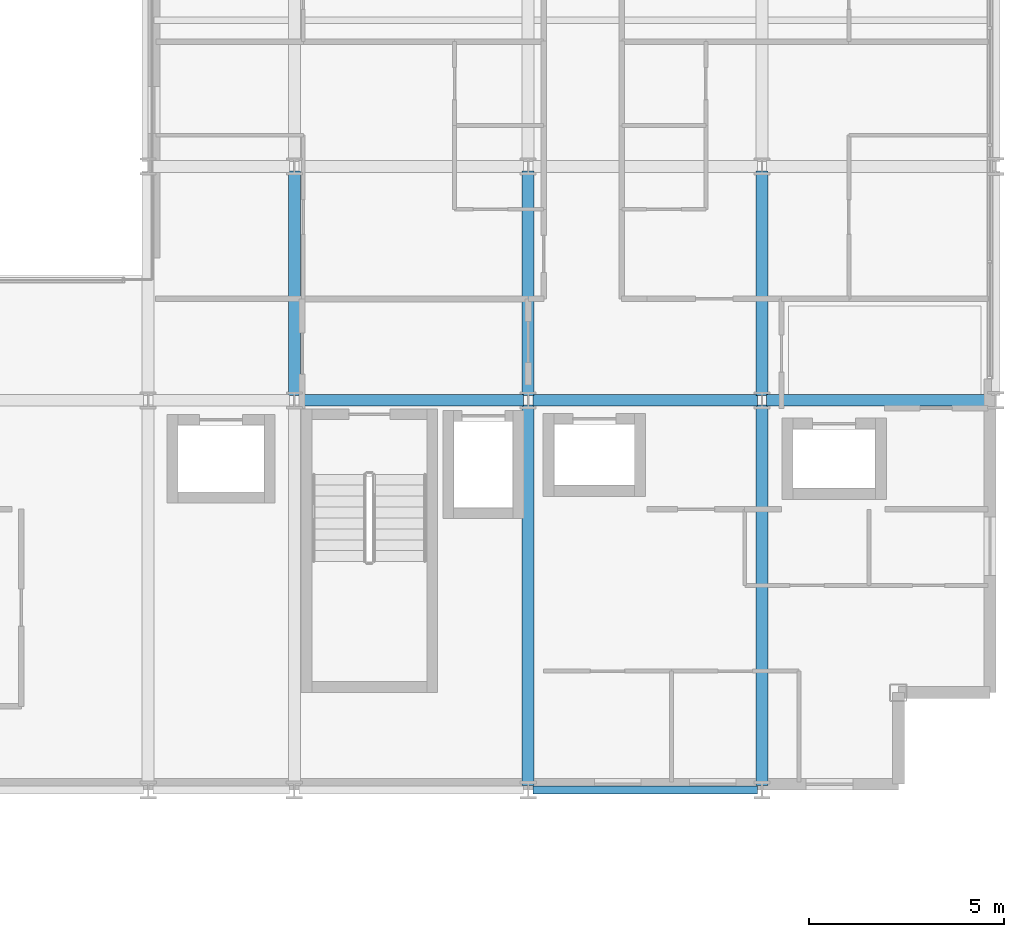
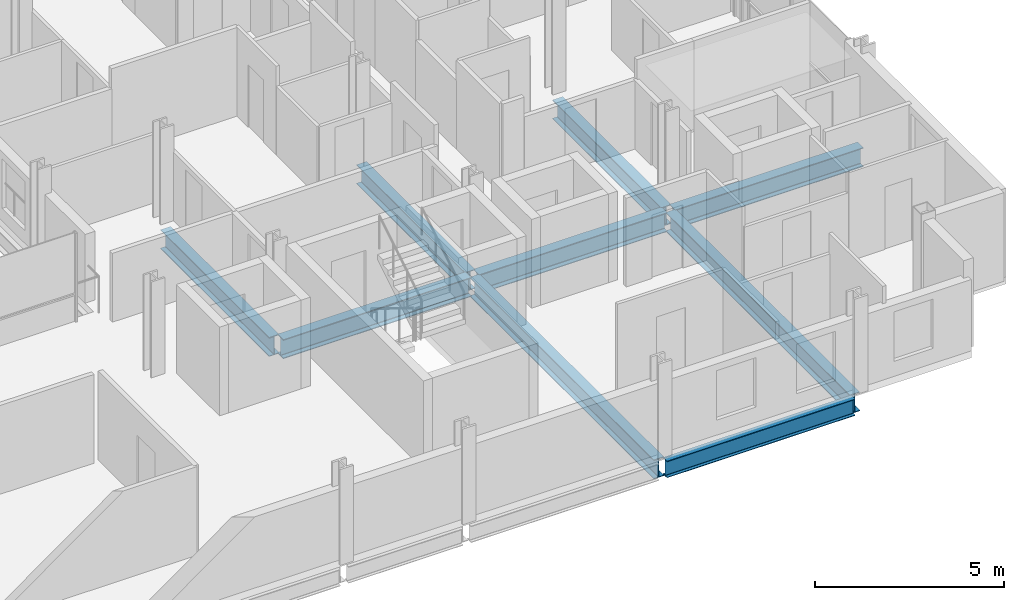
# One storey, part 14 of 40: 9 beams.
"""IFC4 building model written with IfcOpenShell, lengths in metres."""

from ifc_helpers import new_model, si_unit, direction, frame, origin, origin_2d, place, context, subcontext, project, spatial, i_section, extrude, material, material_profile, profile_set, type_object, element, save


model = new_model("IFC4")

# Units and contexts
model_context = context("Model", 3, precision=1e-05, world=origin(), true_north=direction((0.0, 1.0)))
body_context = subcontext(model_context, "Body", "Model", "MODEL_VIEW")
ifc_project = project(units=[si_unit("LENGTHUNIT", "METRE"), si_unit("AREAUNIT", "SQUARE_METRE"), si_unit("VOLUMEUNIT", "CUBIC_METRE"), si_unit("PLANEANGLEUNIT", "RADIAN"), si_unit("MASSUNIT", "GRAM", prefix="KILO")], contexts=[model_context])

# Site, building, storey
site_placement = place(None, origin())
site = spatial("IfcSite", under=ifc_project, at=site_placement, CompositionType="ELEMENT")
building_placement = place(site_placement, origin())
building = spatial("IfcBuilding", under=site, at=building_placement, Name="Brevholm Reach", CompositionType="ELEMENT")
storey_placement = place(building_placement, frame((0.0, 0.0, 80.699951171875)))
storey = spatial("IfcBuildingStorey", under=building, at=storey_placement, Name="L23", CompositionType="ELEMENT", Elevation=80.699951171875)

# Beams
ifc_material_1 = material(Name="Structural Steel S355J2", Category="steel")
ifc_material_profile_1 = material_profile(ifc_material_1, i_section(OverallWidth=0.210693359375, OverallDepth=0.53955078125, WebThickness=0.01171875, FlangeThickness=0.018798828125, FilletRadius=0.0126953125, at=origin_2d()), Name="UKB 533x210x109")
ifc_profile_set_1 = profile_set([ifc_material_profile_1], Name="Structural Steel S355J2")
beam_type_1 = type_object("IfcBeamType", Name="BM-SP539", PredefinedType="SPANDREL", material=ifc_profile_set_1)
beam_1_placement = place(storey_placement, frame((48.1201171875, 0.0, -0.499755859375), z_axis=(1.0, 0.0, 0.0), x_axis=(0.0, 1.0, 0.0)))
element("IfcBeam", 1, at=beam_1_placement, inside=storey, type_object=beam_type_1, Name="L23 SP-01B Framing Beam", PredefinedType="SPANDREL", context=body_context, shape_type="SweptSolid", body=[
    extrude(i_section(OverallWidth=0.210693359375, OverallDepth=0.53955078125, WebThickness=0.01171875, FlangeThickness=0.018798828125, FilletRadius=0.0126953125, at=origin_2d()), origin(), (0.0, 0.0, 1.0), 5.759765625),
])
ifc_material_2 = material(Name="Structural Steel S355J2", Category="steel")
ifc_material_profile_2 = material_profile(ifc_material_2, i_section(OverallWidth=0.30712890625, OverallDepth=0.6201171875, WebThickness=0.01416015625, FlangeThickness=0.023681640625, FilletRadius=0.0166015625, at=origin_2d()), Name="UKB 610x305x179")
ifc_profile_set_2 = profile_set([ifc_material_profile_2], Name="Structural Steel S355J2")
beam_type_2 = type_object("IfcBeamType", Name="BM-UKB610H", PredefinedType="USERDEFINED", material=ifc_profile_set_2)
for number, where, z_axis, x_axis, name in (
    (2, (42.1201171875, 10.0, -0.5400390625), (1.0, 0.0, 0.0), (0.0, 1.0, 0.0), "L23 G-06 Framing Beam"),
    (3, (48.1201171875, 10.0, -0.5400390625), (1.0, 0.0, 0.0), (0.0, 1.0, 0.0), "L23 G-06 Framing Beam"),
    (4, (54.1201171875, 10.0, -0.5400390625), (1.0, 0.0, 0.0), (0.0, 1.0, 0.0), "L23 G-06 Framing Beam"),
    (5, (42.0, 10.1201171875, -0.5400390625), (0.0, 1.0, 0.0), (-1.0, 0.0, 0.0), "L23 G-06 Framing Beam"),
):
    element("IfcBeam", number, at=place(storey_placement, frame(where, z_axis=z_axis, x_axis=x_axis)), inside=storey, type_object=beam_type_2, Name=name, ObjectType="GIRDER", PredefinedType="USERDEFINED", context=body_context, shape_type="SweptSolid", body=[
        extrude(i_section(OverallWidth=0.30712890625, OverallDepth=0.6201171875, WebThickness=0.01416015625, FlangeThickness=0.023681640625, FilletRadius=0.0166015625, at=origin_2d()), origin(), (0.0, 0.0, 1.0), 5.759765625),
    ])
beam_2_placement = place(storey_placement, frame((48.0, 0.1201171875, -0.5400390625), z_axis=(0.0, 1.0, 0.0), x_axis=(-1.0, 0.0, 0.0)))
element("IfcBeam", 6, at=beam_2_placement, inside=storey, type_object=beam_type_2, Name="L23 G-06 Framing Beam", ObjectType="GIRDER", PredefinedType="USERDEFINED", context=body_context, shape_type="SweptSolid", body=[
    extrude(i_section(OverallWidth=0.30712890625, OverallDepth=0.6201171875, WebThickness=0.01416015625, FlangeThickness=0.023681640625, FilletRadius=0.0166015625, at=origin_2d()), origin(), (0.0, 0.0, 1.0), 9.759765625),
])
beam_3_placement = place(storey_placement, frame((48.0, 10.1201171875, -0.5400390625), z_axis=(0.0, 1.0, 0.0), x_axis=(-1.0, 0.0, 0.0)))
element("IfcBeam", 7, at=beam_3_placement, inside=storey, type_object=beam_type_2, Name="L23 G-06 Framing Beam", ObjectType="GIRDER", PredefinedType="USERDEFINED", context=body_context, shape_type="SweptSolid", body=[
    extrude(i_section(OverallWidth=0.30712890625, OverallDepth=0.6201171875, WebThickness=0.01416015625, FlangeThickness=0.023681640625, FilletRadius=0.0166015625, at=origin_2d()), origin(), (0.0, 0.0, 1.0), 5.759765625),
])
beam_4_placement = place(storey_placement, frame((54.0, 0.1201171875, -0.5400390625), z_axis=(0.0, 1.0, 0.0), x_axis=(-1.0, 0.0, 0.0)))
element("IfcBeam", 8, at=beam_4_placement, inside=storey, type_object=beam_type_2, Name="L23 G-06 Framing Beam", ObjectType="GIRDER", PredefinedType="USERDEFINED", context=body_context, shape_type="SweptSolid", body=[
    extrude(i_section(OverallWidth=0.30712890625, OverallDepth=0.6201171875, WebThickness=0.01416015625, FlangeThickness=0.023681640625, FilletRadius=0.0166015625, at=origin_2d()), origin(), (0.0, 0.0, 1.0), 9.759765625),
])
beam_5_placement = place(storey_placement, frame((54.0, 10.1201171875, -0.5400390625), z_axis=(0.0, 1.0, 0.0), x_axis=(-1.0, 0.0, 0.0)))
element("IfcBeam", 9, at=beam_5_placement, inside=storey, type_object=beam_type_2, Name="L23 G-06 Framing Beam", ObjectType="GIRDER", PredefinedType="USERDEFINED", context=body_context, shape_type="SweptSolid", body=[
    extrude(i_section(OverallWidth=0.30712890625, OverallDepth=0.6201171875, WebThickness=0.01416015625, FlangeThickness=0.023681640625, FilletRadius=0.0166015625, at=origin_2d()), origin(), (0.0, 0.0, 1.0), 5.759765625),
])

save(model, "model.ifc")
